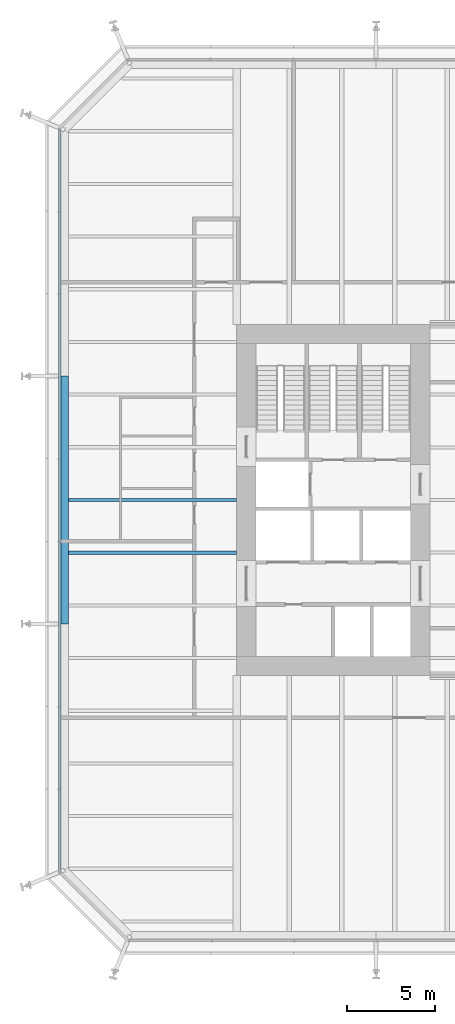
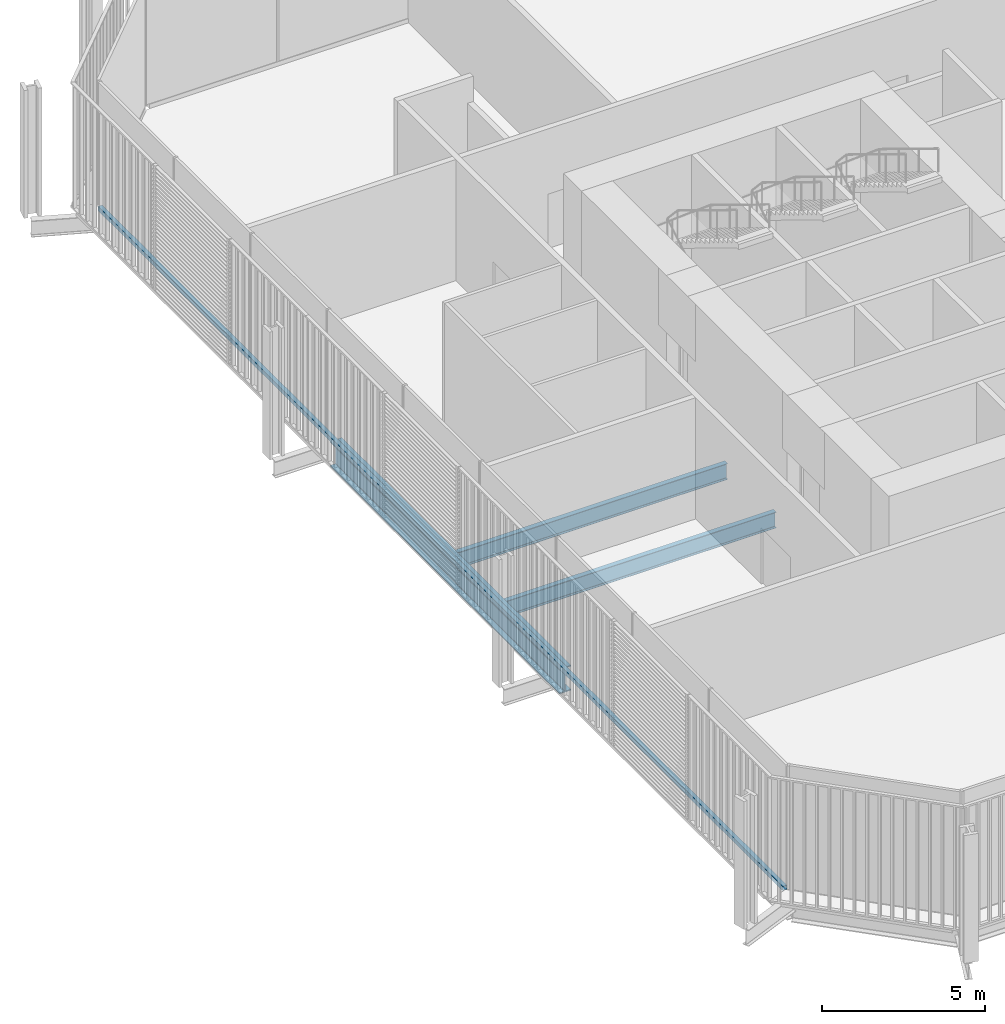
# One storey, part 6 of 22: 3 beams, 1 member, 1 element without a shape of its own.
"""IFC4 building model written with IfcOpenShell, lengths in metres."""

from ifc_helpers import new_model, si_unit, direction, frame, origin, origin_2d, place, context, subcontext, project, spatial, rectangle, i_section, extrude, material, layer, layer_set, material_profile, profile_set, type_object, element, aggregate, save


model = new_model("IFC4")

# Units and contexts
model_context = context("Model", 3, precision=1e-05, world=origin(), true_north=direction((0.0, 1.0)))
body_context = subcontext(model_context, "Body", "Model", "MODEL_VIEW")
ifc_project = project(units=[si_unit("LENGTHUNIT", "METRE"), si_unit("AREAUNIT", "SQUARE_METRE"), si_unit("VOLUMEUNIT", "CUBIC_METRE"), si_unit("PLANEANGLEUNIT", "RADIAN"), si_unit("MASSUNIT", "GRAM", prefix="KILO")], contexts=[model_context])

# Site, building, storey
site_placement = place(None, origin())
site = spatial("IfcSite", under=ifc_project, at=site_placement, CompositionType="ELEMENT")
building_placement = place(site_placement, origin())
building = spatial("IfcBuilding", under=site, at=building_placement, Name="Millrace Tower", CompositionType="ELEMENT")
storey_placement = place(building_placement, frame((0.0, 0.0, 59.300048828125)))
storey = spatial("IfcBuildingStorey", under=building, at=storey_placement, Name="L13", CompositionType="ELEMENT", Elevation=59.300048828125)

# Curtain wall, member
ifc_material_1 = material(Name="Aluminium and glass", Category="aluminium")
ifc_layer = layer(ifc_material_1, 0.14990234375)
ifc_layer_set = layer_set([ifc_layer], Name="Aluminium and glass")
curtain_wall_type = type_object("IfcCurtainWallType", Name="CW-2 data hall insulated curtain wall", PredefinedType="NOTDEFINED", material=ifc_layer_set)
curtain_wall_placement = place(storey_placement, origin())
curtain_wall = element("IfcCurtainWall", 1, at=curtain_wall_placement, inside=storey, type_object=curtain_wall_type, Name="Curtain wall A-F08 L13", PredefinedType="NOTDEFINED")
ifc_material_2 = material(Name="Aluminium", Category="aluminium")
ifc_material_profile_1 = material_profile(ifc_material_2, rectangle(XDim=0.14990234375, YDim=0.159912109375, at=origin_2d()))
ifc_profile_set_1 = profile_set([ifc_material_profile_1], Name="Aluminium")
member_type = type_object("IfcMemberType", Name="CW-2 data hall insulated curtain wall transom", PredefinedType="USERDEFINED", material=ifc_profile_set_1)
member_placement = place(storey_placement, frame((-25.074951171875, 21.050048828125, 0.079833984375), z_axis=(0.0, -1.0, 0.0), x_axis=(1.0, 0.0, 0.0)))
member = element("IfcMember", 2, at=member_placement, type_object=member_type, Name="CW2 transom A-F08.1", ObjectType="TRANSOM", PredefinedType="USERDEFINED", context=body_context, shape_type="SweptSolid", body=[
    extrude(rectangle(XDim=0.14990234375, YDim=0.159912109375, at=origin_2d()), origin(), (0.0, 0.0, 1.0), 42.10009765625),
])
aggregate(curtain_wall, [member])

# Beams
ifc_material_3 = material(Name="Steel ASTM A992 Grade 50", Category="steel")
ifc_material_profile_2 = material_profile(ifc_material_3, i_section(OverallWidth=0.1787109375, OverallDepth=0.60205078125, WebThickness=0.010986328125, FlangeThickness=0.014892578125, FilletRadius=0.0126953125, at=origin_2d()))
ifc_profile_set_2 = profile_set([ifc_material_profile_2], Name="Steel ASTM A992 Grade 50")
beam_type_1 = type_object("IfcBeamType", Name="Floor beam W24x62", PredefinedType="JOIST", material=ifc_profile_set_2)
for number, where, z_axis, x_axis, name in (
    (3, (-24.578369140625, -3.0, -0.526123046875), (1.0, 0.0, 0.0), (0.0, 1.0, 0.0), "BM-A-L13-S1-S018"),
    (4, (-24.578369140625, 0.0, -0.526123046875), (1.0, 0.0, 0.0), (0.0, 1.0, 0.0), "BM-A-L13-S1-S021"),
):
    element("IfcBeam", number, at=place(storey_placement, frame(where, z_axis=z_axis, x_axis=x_axis)), inside=storey, type_object=beam_type_1, Name=name, PredefinedType="JOIST", context=body_context, shape_type="SweptSolid", body=[
        extrude(i_section(OverallWidth=0.1787109375, OverallDepth=0.60205078125, WebThickness=0.010986328125, FlangeThickness=0.014892578125, FilletRadius=0.0126953125, at=origin_2d()), origin(), (0.0, 0.0, 1.0), 9.578369140625),
    ])
ifc_material_4 = material(Name="Steel ASTM A992 Grade 50", Category="steel")
ifc_material_profile_3 = material_profile(ifc_material_4, i_section(OverallWidth=0.421630859375, OverallDepth=0.937255859375, WebThickness=0.021240234375, FlangeThickness=0.03662109375, FilletRadius=0.024169921875, at=origin_2d()))
ifc_profile_set_3 = profile_set([ifc_material_profile_3], Name="Steel ASTM A992 Grade 50")
beam_type_2 = type_object("IfcBeamType", Name="Ring beam medium span W36x262", PredefinedType="SPANDREL", material=ifc_profile_set_3)
beam_placement = place(storey_placement, frame((-24.7890625, -7.050048828125, -0.693603515625), z_axis=(0.0, 1.0, 0.0), x_axis=(-1.0, 0.0, 0.0)))
element("IfcBeam", 5, at=beam_placement, inside=storey, type_object=beam_type_2, Name="RNG-A-L13-S1-02", PredefinedType="SPANDREL", context=body_context, shape_type="SweptSolid", body=[
    extrude(i_section(OverallWidth=0.421630859375, OverallDepth=0.937255859375, WebThickness=0.021240234375, FlangeThickness=0.03662109375, FilletRadius=0.024169921875, at=origin_2d()), origin(), (0.0, 0.0, 1.0), 14.10009765625),
])

save(model, "model.ifc")
